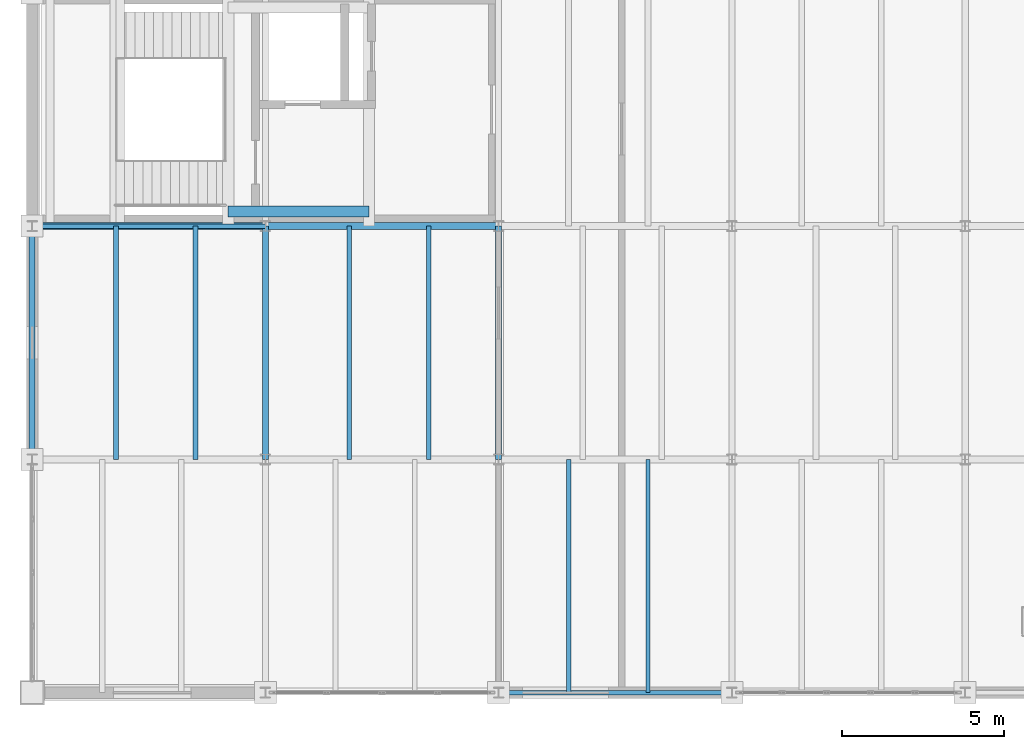
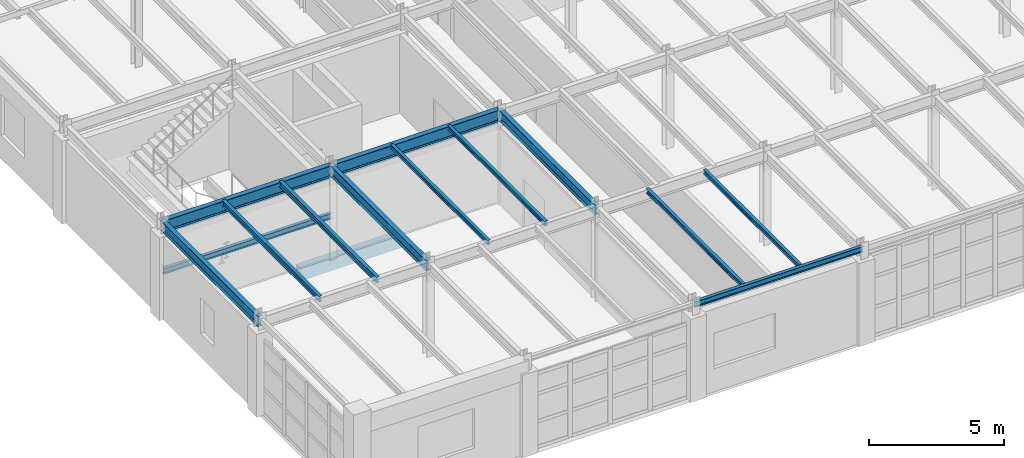
# One storey, part 22 of 137: 14 beams.
"""IFC4 building model written with IfcOpenShell, lengths in metres."""

from ifc_helpers import new_model, si_unit, direction, frame, origin, origin_2d, place, context, subcontext, project, spatial, rectangle, i_section, extrude, material, material_profile, profile_set, type_object, element, save


model = new_model("IFC4")

# Units and contexts
model_context = context("Model", 3, precision=1e-05, world=origin(), true_north=direction((0.0, 1.0)))
body_context = subcontext(model_context, "Body", "Model", "MODEL_VIEW")
ifc_project = project(units=[si_unit("LENGTHUNIT", "METRE"), si_unit("AREAUNIT", "SQUARE_METRE"), si_unit("VOLUMEUNIT", "CUBIC_METRE"), si_unit("PLANEANGLEUNIT", "RADIAN"), si_unit("MASSUNIT", "GRAM", prefix="KILO")], contexts=[model_context])

# Site, building, storey
site_placement = place(None, origin())
site = spatial("IfcSite", under=ifc_project, at=site_placement, CompositionType="ELEMENT")
building_placement = place(site_placement, origin())
building = spatial("IfcBuilding", under=site, at=building_placement, Name="Kemerveld Promenade Tramway Depot", CompositionType="ELEMENT")
storey_placement = place(building_placement, frame((0.0, 0.0, 5.39990234375)))
storey = spatial("IfcBuildingStorey", under=building, at=storey_placement, Name="L01", CompositionType="ELEMENT", Elevation=5.39990234375)

# Beams
ifc_material_1 = material(Name="Steel S355", Category="steel")
ifc_material_profile_1 = material_profile(ifc_material_1, i_section(OverallWidth=0.2099609375, OverallDepth=0.53662109375, WebThickness=0.0107421875, FlangeThickness=0.017333984375, FilletRadius=0.0126953125, at=origin_2d()), Name="533x210x101 UB")
ifc_profile_set_1 = profile_set([ifc_material_profile_1], Name="Steel S355")
beam_type_1 = type_object("IfcBeamType", Name="BM-G05", PredefinedType="BEAM", material=ifc_profile_set_1)
for number, where, z_axis, x_axis, name in (
    (1, (0.0, 14.39990234375, 3.99169921875), (1.0, 0.0, 0.0), (0.0, 1.0, 0.0), "BMX-L01-01-02-C"),
    (2, (7.199951171875, 14.39990234375, 3.99169921875), (1.0, 0.0, 0.0), (0.0, 1.0, 0.0), "BMX-L01-02-03-C"),
):
    element("IfcBeam", number, at=place(storey_placement, frame(where, z_axis=z_axis, x_axis=x_axis)), inside=storey, type_object=beam_type_1, Name=name, PredefinedType="BEAM", context=body_context, shape_type="SweptSolid", body=[
        extrude(i_section(OverallWidth=0.2099609375, OverallDepth=0.53662109375, WebThickness=0.0107421875, FlangeThickness=0.017333984375, FilletRadius=0.0126953125, at=origin_2d()), origin(), (0.0, 0.0, 1.0), 7.199951171875),
    ])
ifc_material_profile_2 = material_profile(ifc_material_1, i_section(OverallWidth=0.19140625, OverallDepth=0.4599609375, WebThickness=0.010009765625, FlangeThickness=0.01611328125, FilletRadius=0.01025390625, at=origin_2d()), Name="457x191x82 UB")
ifc_profile_set_2 = profile_set([ifc_material_profile_2], Name="Steel S355")
beam_type_2 = type_object("IfcBeamType", Name="BM-G06", PredefinedType="BEAM", material=ifc_profile_set_2)
for number, where, z_axis, x_axis, name in (
    (3, (0.0, 7.199951171875, 4.030029296875), (0.0, 1.0, 0.0), (-1.0, 0.0, 0.0), "BMY-L01-01-B-C"),
    (4, (7.199951171875, 7.199951171875, 4.030029296875), (0.0, 1.0, 0.0), (-1.0, 0.0, 0.0), "BMY-L01-02-B-C"),
    (5, (14.39990234375, 7.199951171875, 4.030029296875), (0.0, 1.0, 0.0), (-1.0, 0.0, 0.0), "BMY-L01-03-B-C"),
):
    element("IfcBeam", number, at=place(storey_placement, frame(where, z_axis=z_axis, x_axis=x_axis)), inside=storey, type_object=beam_type_2, Name=name, PredefinedType="BEAM", context=body_context, shape_type="SweptSolid", body=[
        extrude(i_section(OverallWidth=0.19140625, OverallDepth=0.4599609375, WebThickness=0.010009765625, FlangeThickness=0.01611328125, FilletRadius=0.01025390625, at=origin_2d()), origin(), (0.0, 0.0, 1.0), 7.199951171875),
    ])
ifc_material_profile_3 = material_profile(ifc_material_1, i_section(OverallWidth=0.146484375, OverallDepth=0.256103515625, WebThickness=0.00634765625, FlangeThickness=0.010986328125, FilletRadius=0.007568359375, at=origin_2d()), Name="254x146x37 UB")
ifc_profile_set_3 = profile_set([ifc_material_profile_3], Name="Steel S355")
beam_type_3 = type_object("IfcBeamType", Name="BM-G15", PredefinedType="BEAM", material=ifc_profile_set_3)
beam_1_placement = place(storey_placement, frame((14.39990234375, 0.0, 4.132080078125), z_axis=(1.0, 0.0, 0.0), x_axis=(0.0, 1.0, 0.0)))
element("IfcBeam", 6, at=beam_1_placement, inside=storey, type_object=beam_type_3, Name="BMX-L01-03-04-A", PredefinedType="BEAM", context=body_context, shape_type="SweptSolid", body=[
    extrude(i_section(OverallWidth=0.146484375, OverallDepth=0.256103515625, WebThickness=0.00634765625, FlangeThickness=0.010986328125, FilletRadius=0.007568359375, at=origin_2d()), origin(), (0.0, 0.0, 1.0), 7.2001953125),
])
ifc_material_profile_4 = material_profile(ifc_material_1, i_section(OverallWidth=0.146484375, OverallDepth=0.256103515625, WebThickness=0.00634765625, FlangeThickness=0.010986328125, FilletRadius=0.007568359375, at=origin_2d()), Name="254x146x37 UB")
ifc_profile_set_4 = profile_set([ifc_material_profile_4], Name="Steel S355")
beam_type_4 = type_object("IfcBeamType", Name="BM-J02", PredefinedType="JOIST", material=ifc_profile_set_4)
for number, where, z_axis, x_axis, name in (
    (7, (2.592041015625, 7.199951171875, 4.132080078125), (0.0, 1.0, 0.0), (-1.0, 0.0, 0.0), "JST-L01-01-B-1"),
    (8, (5.0400390625, 7.199951171875, 4.132080078125), (0.0, 1.0, 0.0), (-1.0, 0.0, 0.0), "JST-L01-01-B-2"),
    (9, (0.0, 14.39990234375, 1.942138671875), (1.0, 0.0, 0.0), (0.0, 1.0, 0.0), "BM-HLY-ST-01-L01-S"),
):
    element("IfcBeam", number, at=place(storey_placement, frame(where, z_axis=z_axis, x_axis=x_axis)), inside=storey, type_object=beam_type_4, Name=name, PredefinedType="JOIST", context=body_context, shape_type="SweptSolid", body=[
        extrude(i_section(OverallWidth=0.146484375, OverallDepth=0.256103515625, WebThickness=0.00634765625, FlangeThickness=0.010986328125, FilletRadius=0.007568359375, at=origin_2d()), origin(), (0.0, 0.0, 1.0), 7.199951171875),
    ])
ifc_material_profile_5 = material_profile(ifc_material_1, i_section(OverallWidth=0.13330078125, OverallDepth=0.203125, WebThickness=0.005615234375, FlangeThickness=0.0078125, FilletRadius=0.007568359375, at=origin_2d()), Name="203x133x25 UB")
ifc_profile_set_5 = profile_set([ifc_material_profile_5], Name="Steel S355")
beam_type_5 = type_object("IfcBeamType", Name="BM-J03", PredefinedType="JOIST", material=ifc_profile_set_5)
for number, where, z_axis, x_axis, name in (
    (10, (9.7919921875, 7.199951171875, 4.158447265625), (0.0, 1.0, 0.0), (-1.0, 0.0, 0.0), "JST-L01-02-B-1"),
    (11, (12.239990234375, 7.199951171875, 4.158447265625), (0.0, 1.0, 0.0), (-1.0, 0.0, 0.0), "JST-L01-02-B-2"),
    (12, (16.56005859375, 0.0, 4.158447265625), (0.0, 1.0, 0.0), (-1.0, 0.0, 0.0), "JST-L01-03-A-1"),
    (13, (19.008056640625, 0.0, 4.158447265625), (0.0, 1.0, 0.0), (-1.0, 0.0, 0.0), "JST-L01-03-A-2"),
):
    element("IfcBeam", number, at=place(storey_placement, frame(where, z_axis=z_axis, x_axis=x_axis)), inside=storey, type_object=beam_type_5, Name=name, PredefinedType="JOIST", context=body_context, shape_type="SweptSolid", body=[
        extrude(i_section(OverallWidth=0.13330078125, OverallDepth=0.203125, WebThickness=0.005615234375, FlangeThickness=0.0078125, FilletRadius=0.007568359375, at=origin_2d()), origin(), (0.0, 0.0, 1.0), 7.199951171875),
    ])
ifc_material_2 = material(Name="Concrete C40/50", Category="concrete")
ifc_material_profile_6 = material_profile(ifc_material_2, rectangle(XDim=0.35009765625, YDim=0.550048828125, at=origin_2d()), Name="RC-BM-350x550")
ifc_profile_set_6 = profile_set([ifc_material_profile_6], Name="Concrete C40/50")
beam_type_6 = type_object("IfcBeamType", Name="BM-RC3", PredefinedType="BEAM", material=ifc_profile_set_6)
beam_2_placement = place(storey_placement, frame((6.050048828125, 14.85009765625, -0.52978515625), z_axis=(1.0, 0.0, 0.0), x_axis=(0.0, 1.0, 0.0)))
element("IfcBeam", 14, at=beam_2_placement, inside=storey, type_object=beam_type_6, Name="BM-COREX-C1-L01-S", PredefinedType="BEAM", context=body_context, shape_type="SweptSolid", body=[
    extrude(rectangle(XDim=0.35009765625, YDim=0.550048828125, at=origin_2d()), origin(), (0.0, 0.0, 1.0), 4.349853515625),
])

save(model, "model.ifc")
